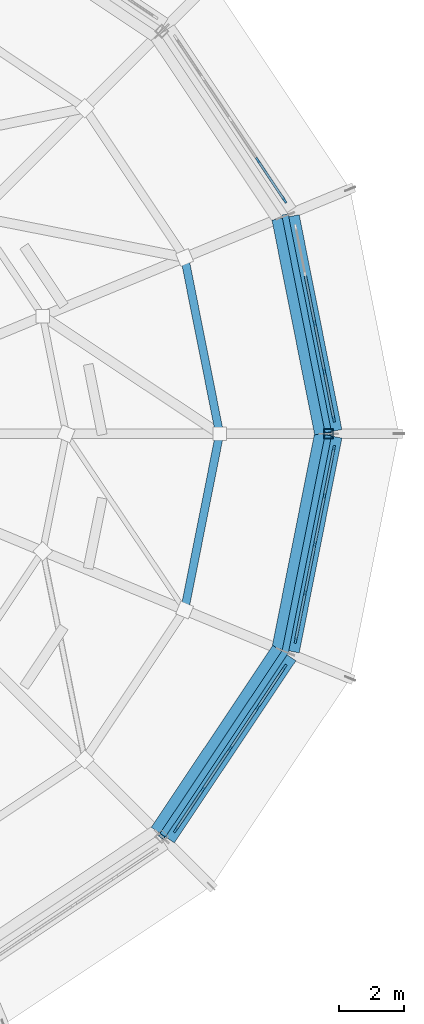
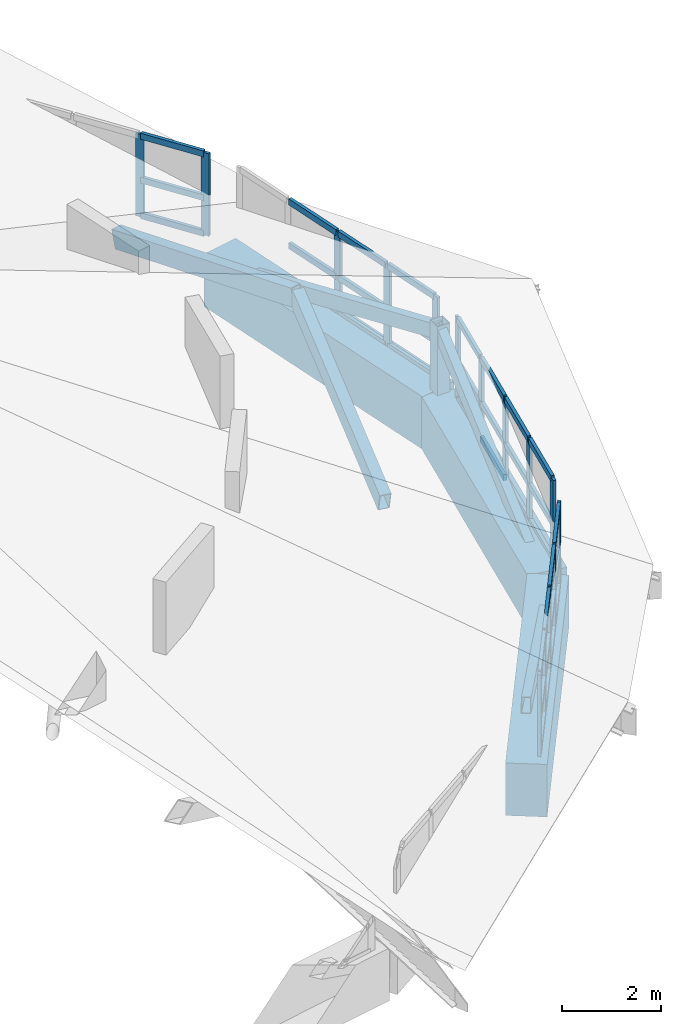
# One storey, part 6 of 18: 57 members, 3 beams, 4 elements without a shape of their own.
"""IFC4 building model written with IfcOpenShell, lengths in metres."""

from ifc_helpers import new_model, si_unit, direction, frame, origin, origin_2d, place, context, subcontext, project, spatial, rectangle, hollow_rectangle, extrude, material, material_profile, profile_set, type_object, element, aggregate, save


model = new_model("IFC4")

# Units and contexts
model_context = context("Model", 3, precision=1e-05, world=origin(), true_north=direction((0.0, 1.0)))
body_context = subcontext(model_context, "Body", "Model", "MODEL_VIEW")
ifc_project = project(units=[si_unit("LENGTHUNIT", "METRE"), si_unit("AREAUNIT", "SQUARE_METRE"), si_unit("VOLUMEUNIT", "CUBIC_METRE"), si_unit("PLANEANGLEUNIT", "RADIAN"), si_unit("MASSUNIT", "GRAM", prefix="KILO")], contexts=[model_context])

# Site, building, storey
site_placement = place(None, origin())
site = spatial("IfcSite", under=ifc_project, at=site_placement, CompositionType="ELEMENT")
building_placement = place(site_placement, origin())
building = spatial("IfcBuilding", under=site, at=building_placement, Name="Soyqirgoq Riverine Aquarium", CompositionType="ELEMENT")
storey_placement = place(building_placement, frame((0.0, 0.0, 29.39990234375)))
storey = spatial("IfcBuildingStorey", under=building, at=storey_placement, Name="RF", CompositionType="ELEMENT", Elevation=29.39990234375)

# Curtain wall, members
ifc_material_1 = material(Name="Anodised aluminium acoustic solar-control clerestory glazing", Category="aluminium")
curtain_wall_type = type_object("IfcCurtainWallType", Name="CW_Clerestory_Ring", PredefinedType="NOTDEFINED", material=ifc_material_1)
curtain_wall_1_placement = place(storey_placement, origin())
curtain_wall_1 = element("IfcCurtainWall", 1, at=curtain_wall_1_placement, inside=storey, type_object=curtain_wall_type, Name="V1 RF Curtain Wall 007", PredefinedType="NOTDEFINED")
ifc_material_2 = material(Name="Anodised aluminium 6063-T6", Category="aluminium")
ifc_material_profile_1 = material_profile(ifc_material_2, rectangle(XDim=0.06494140625, YDim=0.179931640625, at=origin_2d()), Name="ALU-M 65x180")
ifc_profile_set_1 = profile_set([ifc_material_profile_1], Name="Anodised aluminium 6063-T6")
member_type_1 = type_object("IfcMemberType", Name="CWMullion_65x180", PredefinedType="MULLION", material=ifc_profile_set_1)
member_1_placement = place(storey_placement, frame((73.61181640625, 57.44384765625, -0.02001953125), z_axis=(0.0, 0.0, 1.0), x_axis=(-0.980784299821, -0.19509525167, 0.0)))
member_1 = element("IfcMember", 2, at=member_1_placement, type_object=member_type_1, Name="CW-02 mullion 1", PredefinedType="MULLION", context=body_context, shape_type="SweptSolid", body=[
    extrude(rectangle(XDim=0.06494140625, YDim=0.179931640625, at=origin_2d()), origin(), (0.0, 0.0, 1.0), 2.0400390625),
])
member_2_placement = place(storey_placement, frame((73.322265625, 58.8994140625, -0.02001953125), z_axis=(0.0, 0.0, 1.0), x_axis=(-0.980784299821, -0.19509525167, 0.0)))
member_2 = element("IfcMember", 3, at=member_2_placement, type_object=member_type_1, Name="CW-02 mullion 2", PredefinedType="MULLION", context=body_context, shape_type="SweptSolid", body=[
    extrude(rectangle(XDim=0.06494140625, YDim=0.179931640625, at=origin_2d()), origin(), (0.0, 0.0, 1.0), 2.0400390625),
])
member_3_placement = place(storey_placement, frame((73.0263671875, 60.38671875, -0.02001953125), z_axis=(0.0, 0.0, 1.0), x_axis=(-0.980784299821, -0.19509525167, 0.0)))
member_3 = element("IfcMember", 4, at=member_3_placement, type_object=member_type_1, Name="CW-02 mullion 3", PredefinedType="MULLION", context=body_context, shape_type="SweptSolid", body=[
    extrude(rectangle(XDim=0.06494140625, YDim=0.179931640625, at=origin_2d()), origin(), (0.0, 0.0, 1.0), 2.0400390625),
])

curtain_wall_2_placement = place(storey_placement, origin())
curtain_wall_2 = element("IfcCurtainWall", 5, at=curtain_wall_2_placement, inside=storey, type_object=curtain_wall_type, Name="V1 RF Curtain Wall 009", PredefinedType="NOTDEFINED")
member_4_placement = place(storey_placement, frame((72.101318359375, 64.149658203125, -0.02001953125), z_axis=(0.0, 0.0, 1.0), x_axis=(-0.831463994905, -0.555578639957, 0.0)))
member_4 = element("IfcMember", 6, at=member_4_placement, type_object=member_type_1, Name="CW-02 mullion 1", PredefinedType="MULLION", context=body_context, shape_type="SweptSolid", body=[
    extrude(rectangle(XDim=0.06494140625, YDim=0.179931640625, at=origin_2d()), origin(), (0.0, 0.0, 1.0), 2.0400390625),
])
member_5_placement = place(storey_placement, frame((71.27685546875, 65.3837890625, -0.02001953125), z_axis=(0.0, 0.0, 1.0), x_axis=(-0.831463994905, -0.555578639957, 0.0)))
member_5 = element("IfcMember", 7, at=member_5_placement, type_object=member_type_1, Name="CW-02 mullion 2", PredefinedType="MULLION", context=body_context, shape_type="SweptSolid", body=[
    extrude(rectangle(XDim=0.06494140625, YDim=0.179931640625, at=origin_2d()), origin(), (0.0, 0.0, 1.0), 2.0400390625),
])

curtain_wall_3_placement = place(storey_placement, origin())
curtain_wall_3 = element("IfcCurtainWall", 8, at=curtain_wall_3_placement, inside=storey, type_object=curtain_wall_type, Name="V1 RF Curtain Wall 071", PredefinedType="NOTDEFINED")
member_6_placement = place(storey_placement, frame((68.76708984375, 44.8603515625, -0.02001953125), z_axis=(0.0, 0.0, 1.0), x_axis=(-0.831463994905, 0.555578639957, 0.0)))
member_6 = element("IfcMember", 9, at=member_6_placement, type_object=member_type_1, Name="CW-02 mullion 1", PredefinedType="MULLION", context=body_context, shape_type="SweptSolid", body=[
    extrude(rectangle(XDim=0.06494140625, YDim=0.179931640625, at=origin_2d()), origin(), (0.0, 0.0, 1.0), 2.0400390625),
])
member_7_placement = place(storey_placement, frame((69.591796875, 46.094482421875, -0.02001953125), z_axis=(0.0, 0.0, 1.0), x_axis=(-0.831463994905, 0.555578639957, 0.0)))
member_7 = element("IfcMember", 10, at=member_7_placement, type_object=member_type_1, Name="CW-02 mullion 2", PredefinedType="MULLION", context=body_context, shape_type="SweptSolid", body=[
    extrude(rectangle(XDim=0.06494140625, YDim=0.179931640625, at=origin_2d()), origin(), (0.0, 0.0, 1.0), 2.0400390625),
])
member_8_placement = place(storey_placement, frame((70.434326171875, 47.35546875, -0.02001953125), z_axis=(0.0, 0.0, 1.0), x_axis=(-0.831463994905, 0.555578639957, 0.0)))
member_8 = element("IfcMember", 11, at=member_8_placement, type_object=member_type_1, Name="CW-02 mullion 3", PredefinedType="MULLION", context=body_context, shape_type="SweptSolid", body=[
    extrude(rectangle(XDim=0.06494140625, YDim=0.179931640625, at=origin_2d()), origin(), (0.0, 0.0, 1.0), 2.0400390625),
])
member_9_placement = place(storey_placement, frame((71.27685546875, 48.6162109375, -0.02001953125), z_axis=(0.0, 0.0, 1.0), x_axis=(-0.831463994905, 0.555578639957, 0.0)))
member_9 = element("IfcMember", 12, at=member_9_placement, type_object=member_type_1, Name="CW-02 mullion 4", PredefinedType="MULLION", context=body_context, shape_type="SweptSolid", body=[
    extrude(rectangle(XDim=0.06494140625, YDim=0.179931640625, at=origin_2d()), origin(), (0.0, 0.0, 1.0), 2.0400390625),
])
member_10_placement = place(storey_placement, frame((72.101318359375, 49.850341796875, -0.02001953125), z_axis=(0.0, 0.0, 1.0), x_axis=(-0.831463994905, 0.555578639957, 0.0)))
member_10 = element("IfcMember", 13, at=member_10_placement, type_object=member_type_1, Name="CW-02 mullion 5", PredefinedType="MULLION", context=body_context, shape_type="SweptSolid", body=[
    extrude(rectangle(XDim=0.06494140625, YDim=0.179931640625, at=origin_2d()), origin(), (0.0, 0.0, 1.0), 2.0400390625),
])

curtain_wall_4_placement = place(storey_placement, origin())
curtain_wall_4 = element("IfcCurtainWall", 14, at=curtain_wall_4_placement, inside=storey, type_object=curtain_wall_type, Name="V1 RF Curtain Wall 078", PredefinedType="NOTDEFINED")
member_11_placement = place(storey_placement, frame((72.44091796875, 50.670166015625, -0.02001953125), z_axis=(0.0, 0.0, 1.0), x_axis=(-0.980784299821, 0.19509525167, 0.0)))
member_11 = element("IfcMember", 15, at=member_11_placement, type_object=member_type_1, Name="CW-02 mullion 1", PredefinedType="MULLION", context=body_context, shape_type="SweptSolid", body=[
    extrude(rectangle(XDim=0.06494140625, YDim=0.179931640625, at=origin_2d()), origin(), (0.0, 0.0, 1.0), 2.0400390625),
])
member_12_placement = place(storey_placement, frame((72.73046875, 52.125732421875, -0.02001953125), z_axis=(0.0, 0.0, 1.0), x_axis=(-0.980784299821, 0.19509525167, 0.0)))
member_12 = element("IfcMember", 16, at=member_12_placement, type_object=member_type_1, Name="CW-02 mullion 2", PredefinedType="MULLION", context=body_context, shape_type="SweptSolid", body=[
    extrude(rectangle(XDim=0.06494140625, YDim=0.179931640625, at=origin_2d()), origin(), (0.0, 0.0, 1.0), 2.0400390625),
])
member_13_placement = place(storey_placement, frame((73.0263671875, 53.61328125, -0.02001953125), z_axis=(0.0, 0.0, 1.0), x_axis=(-0.980784299821, 0.19509525167, 0.0)))
member_13 = element("IfcMember", 17, at=member_13_placement, type_object=member_type_1, Name="CW-02 mullion 3", PredefinedType="MULLION", context=body_context, shape_type="SweptSolid", body=[
    extrude(rectangle(XDim=0.06494140625, YDim=0.179931640625, at=origin_2d()), origin(), (0.0, 0.0, 1.0), 2.0400390625),
])
member_14_placement = place(storey_placement, frame((73.322265625, 55.1005859375, -0.02001953125), z_axis=(0.0, 0.0, 1.0), x_axis=(-0.980784299821, 0.19509525167, 0.0)))
member_14 = element("IfcMember", 18, at=member_14_placement, type_object=member_type_1, Name="CW-02 mullion 4", PredefinedType="MULLION", context=body_context, shape_type="SweptSolid", body=[
    extrude(rectangle(XDim=0.06494140625, YDim=0.179931640625, at=origin_2d()), origin(), (0.0, 0.0, 1.0), 2.0400390625),
])
member_15_placement = place(storey_placement, frame((73.61181640625, 56.55615234375, -0.02001953125), z_axis=(0.0, 0.0, 1.0), x_axis=(-0.980784299821, 0.19509525167, 0.0)))
member_15 = element("IfcMember", 19, at=member_15_placement, type_object=member_type_1, Name="CW-02 mullion 5", PredefinedType="MULLION", context=body_context, shape_type="SweptSolid", body=[
    extrude(rectangle(XDim=0.06494140625, YDim=0.179931640625, at=origin_2d()), origin(), (0.0, 0.0, 1.0), 2.0400390625),
])

# Member
ifc_material_3 = material(Name="Anodised aluminium 6063-T6", Category="aluminium")
ifc_material_profile_2 = material_profile(ifc_material_3, rectangle(XDim=0.074951171875, YDim=0.14990234375, at=origin_2d()), Name="ALU-T 75x150")
ifc_profile_set_2 = profile_set([ifc_material_profile_2], Name="Anodised aluminium 6063-T6")
member_type_2 = type_object("IfcMemberType", Name="CWTransom_75x150", PredefinedType="USERDEFINED", material=ifc_profile_set_2)
member_16_placement = place(storey_placement, frame((73.60546875, 57.4755859375, 0.017578125), z_axis=(-0.195090420246, 0.980785260864, 0.0), x_axis=(-0.980785260864, -0.195090420246, 0.0)))
member_16 = element("IfcMember", 20, at=member_16_placement, type_object=member_type_2, Name="CW-02 transom 1.1", ObjectType="TRANSOM", PredefinedType="USERDEFINED", context=body_context, shape_type="SweptSolid", body=[
    extrude(rectangle(XDim=0.074951171875, YDim=0.14990234375, at=origin_2d()), origin(), (0.0, 0.0, 1.0), 1.419189453125),
])

member_17_placement = place(storey_placement, frame((73.60546875, 57.4755859375, 0.898193359375), z_axis=(-0.195090420246, 0.980785260864, 0.0), x_axis=(-0.980785260864, -0.195090420246, 0.0)))
member_17 = element("IfcMember", 21, at=member_17_placement, type_object=member_type_2, Name="CW-02 transom 1.2", ObjectType="TRANSOM", PredefinedType="USERDEFINED", context=body_context, shape_type="SweptSolid", body=[
    extrude(rectangle(XDim=0.074951171875, YDim=0.14990234375, at=origin_2d()), origin(), (0.0, 0.0, 1.0), 1.419189453125),
])

member_18_placement = place(storey_placement, frame((73.60546875, 57.4755859375, 1.982666015625), z_axis=(-0.195090420246, 0.980785260864, 0.0), x_axis=(-0.980785260864, -0.195090420246, 0.0)))
member_18 = element("IfcMember", 22, at=member_18_placement, type_object=member_type_2, Name="CW-02 transom 1.3", ObjectType="TRANSOM", PredefinedType="USERDEFINED", context=body_context, shape_type="SweptSolid", body=[
    extrude(rectangle(XDim=0.074951171875, YDim=0.14990234375, at=origin_2d()), origin(), (0.0, 0.0, 1.0), 1.419189453125),
])

member_19_placement = place(storey_placement, frame((73.31591796875, 58.93115234375, 0.017578125), z_axis=(-0.195081112847, 0.980787112176, 0.0), x_axis=(-0.980787112176, -0.195081112847, 0.0)))
member_19 = element("IfcMember", 23, at=member_19_placement, type_object=member_type_2, Name="CW-02 transom 2.1", ObjectType="TRANSOM", PredefinedType="USERDEFINED", context=body_context, shape_type="SweptSolid", body=[
    extrude(rectangle(XDim=0.074951171875, YDim=0.14990234375, at=origin_2d()), origin(), (0.0, 0.0, 1.0), 1.45166015625),
])

member_20_placement = place(storey_placement, frame((73.31591796875, 58.93115234375, 0.898193359375), z_axis=(-0.195081112847, 0.980787112176, 0.0), x_axis=(-0.980787112176, -0.195081112847, 0.0)))
member_20 = element("IfcMember", 24, at=member_20_placement, type_object=member_type_2, Name="CW-02 transom 2.2", ObjectType="TRANSOM", PredefinedType="USERDEFINED", context=body_context, shape_type="SweptSolid", body=[
    extrude(rectangle(XDim=0.074951171875, YDim=0.14990234375, at=origin_2d()), origin(), (0.0, 0.0, 1.0), 1.45166015625),
])

member_21_placement = place(storey_placement, frame((73.31591796875, 58.93115234375, 1.982666015625), z_axis=(-0.195081112847, 0.980787112176, 0.0), x_axis=(-0.980787112176, -0.195081112847, 0.0)))
member_21 = element("IfcMember", 25, at=member_21_placement, type_object=member_type_2, Name="CW-02 transom 2.3", ObjectType="TRANSOM", PredefinedType="USERDEFINED", context=body_context, shape_type="SweptSolid", body=[
    extrude(rectangle(XDim=0.074951171875, YDim=0.14990234375, at=origin_2d()), origin(), (0.0, 0.0, 1.0), 1.45166015625),
])

member_22_placement = place(storey_placement, frame((73.02001953125, 60.418701171875, 0.017578125), z_axis=(-0.195113295173, 0.980780710478, 0.0), x_axis=(-0.980780710478, -0.195113295173, 0.0)))
member_22 = element("IfcMember", 26, at=member_22_placement, type_object=member_type_2, Name="CW-02 transom 3.1", ObjectType="TRANSOM", PredefinedType="USERDEFINED", context=body_context, shape_type="SweptSolid", body=[
    extrude(rectangle(XDim=0.074951171875, YDim=0.14990234375, at=origin_2d()), origin(), (0.0, 0.0, 1.0), 1.451416015625),
])

member_23_placement = place(storey_placement, frame((73.02001953125, 60.418701171875, 0.898193359375), z_axis=(-0.195113295173, 0.980780710478, 0.0), x_axis=(-0.980780710478, -0.195113295173, 0.0)))
member_23 = element("IfcMember", 27, at=member_23_placement, type_object=member_type_2, Name="CW-02 transom 3.2", ObjectType="TRANSOM", PredefinedType="USERDEFINED", context=body_context, shape_type="SweptSolid", body=[
    extrude(rectangle(XDim=0.074951171875, YDim=0.14990234375, at=origin_2d()), origin(), (0.0, 0.0, 1.0), 1.451416015625),
])

member_24_placement = place(storey_placement, frame((73.02001953125, 60.418701171875, 1.982666015625), z_axis=(-0.195113295173, 0.980780710478, 0.0), x_axis=(-0.980780710478, -0.195113295173, 0.0)))
member_24 = element("IfcMember", 28, at=member_24_placement, type_object=member_type_2, Name="CW-02 transom 3.3", ObjectType="TRANSOM", PredefinedType="USERDEFINED", context=body_context, shape_type="SweptSolid", body=[
    extrude(rectangle(XDim=0.074951171875, YDim=0.14990234375, at=origin_2d()), origin(), (0.0, 0.0, 1.0), 1.451416015625),
])

aggregate(curtain_wall_1, [member_1, member_2, member_3, member_16, member_17, member_18, member_19, member_20, member_21, member_22, member_23, member_24])

member_25_placement = place(storey_placement, frame((72.083251953125, 64.1767578125, 0.017578125), z_axis=(-0.55553367483, 0.831494038542, 0.0), x_axis=(-0.831494038542, -0.55553367483, 0.0)))
member_25 = element("IfcMember", 29, at=member_25_placement, type_object=member_type_2, Name="CW-02 transom 1.1", ObjectType="TRANSOM", PredefinedType="USERDEFINED", context=body_context, shape_type="SweptSolid", body=[
    extrude(rectangle(XDim=0.074951171875, YDim=0.14990234375, at=origin_2d()), origin(), (0.0, 0.0, 1.0), 1.4189453125),
])

member_26_placement = place(storey_placement, frame((72.083251953125, 64.1767578125, 0.898193359375), z_axis=(-0.55553367483, 0.831494038542, 0.0), x_axis=(-0.831494038542, -0.55553367483, 0.0)))
member_26 = element("IfcMember", 30, at=member_26_placement, type_object=member_type_2, Name="CW-02 transom 1.2", ObjectType="TRANSOM", PredefinedType="USERDEFINED", context=body_context, shape_type="SweptSolid", body=[
    extrude(rectangle(XDim=0.074951171875, YDim=0.14990234375, at=origin_2d()), origin(), (0.0, 0.0, 1.0), 1.4189453125),
])

member_27_placement = place(storey_placement, frame((72.083251953125, 64.1767578125, 1.982666015625), z_axis=(-0.55553367483, 0.831494038542, 0.0), x_axis=(-0.831494038542, -0.55553367483, 0.0)))
member_27 = element("IfcMember", 31, at=member_27_placement, type_object=member_type_2, Name="CW-02 transom 1.3", ObjectType="TRANSOM", PredefinedType="USERDEFINED", context=body_context, shape_type="SweptSolid", body=[
    extrude(rectangle(XDim=0.074951171875, YDim=0.14990234375, at=origin_2d()), origin(), (0.0, 0.0, 1.0), 1.4189453125),
])

aggregate(curtain_wall_2, [member_4, member_5, member_25, member_26, member_27])

member_28_placement = place(storey_placement, frame((68.78515625, 44.887451171875, 0.017578125), z_axis=(0.555652606731, 0.831414566046, 0.0), x_axis=(-0.831414566046, 0.555652606731, 0.0)))
member_28 = element("IfcMember", 32, at=member_28_placement, type_object=member_type_2, Name="CW-02 transom 1.1", ObjectType="TRANSOM", PredefinedType="USERDEFINED", context=body_context, shape_type="SweptSolid", body=[
    extrude(rectangle(XDim=0.074951171875, YDim=0.14990234375, at=origin_2d()), origin(), (0.0, 0.0, 1.0), 1.419189453125),
])

member_29_placement = place(storey_placement, frame((68.78515625, 44.887451171875, 0.898193359375), z_axis=(0.555652606731, 0.831414566046, 0.0), x_axis=(-0.831414566046, 0.555652606731, 0.0)))
member_29 = element("IfcMember", 33, at=member_29_placement, type_object=member_type_2, Name="CW-02 transom 1.2", ObjectType="TRANSOM", PredefinedType="USERDEFINED", context=body_context, shape_type="SweptSolid", body=[
    extrude(rectangle(XDim=0.074951171875, YDim=0.14990234375, at=origin_2d()), origin(), (0.0, 0.0, 1.0), 1.419189453125),
])

member_30_placement = place(storey_placement, frame((68.78515625, 44.887451171875, 1.982666015625), z_axis=(0.555652606731, 0.831414566046, 0.0), x_axis=(-0.831414566046, 0.555652606731, 0.0)))
member_30 = element("IfcMember", 34, at=member_30_placement, type_object=member_type_2, Name="CW-02 transom 1.3", ObjectType="TRANSOM", PredefinedType="USERDEFINED", context=body_context, shape_type="SweptSolid", body=[
    extrude(rectangle(XDim=0.074951171875, YDim=0.14990234375, at=origin_2d()), origin(), (0.0, 0.0, 1.0), 1.419189453125),
])

member_31_placement = place(storey_placement, frame((69.609619140625, 46.121337890625, 0.017578125), z_axis=(0.555631247688, 0.831428840366, 0.0), x_axis=(-0.831428840366, 0.555631247688, 0.0)))
member_31 = element("IfcMember", 35, at=member_31_placement, type_object=member_type_2, Name="CW-02 transom 2.1", ObjectType="TRANSOM", PredefinedType="USERDEFINED", context=body_context, shape_type="SweptSolid", body=[
    extrude(rectangle(XDim=0.074951171875, YDim=0.14990234375, at=origin_2d()), origin(), (0.0, 0.0, 1.0), 1.45166015625),
])

member_32_placement = place(storey_placement, frame((69.609619140625, 46.121337890625, 0.898193359375), z_axis=(0.555631247688, 0.831428840366, 0.0), x_axis=(-0.831428840366, 0.555631247688, 0.0)))
member_32 = element("IfcMember", 36, at=member_32_placement, type_object=member_type_2, Name="CW-02 transom 2.2", ObjectType="TRANSOM", PredefinedType="USERDEFINED", context=body_context, shape_type="SweptSolid", body=[
    extrude(rectangle(XDim=0.074951171875, YDim=0.14990234375, at=origin_2d()), origin(), (0.0, 0.0, 1.0), 1.45166015625),
])

member_33_placement = place(storey_placement, frame((69.609619140625, 46.121337890625, 1.982666015625), z_axis=(0.555631247688, 0.831428840366, 0.0), x_axis=(-0.831428840366, 0.555631247688, 0.0)))
member_33 = element("IfcMember", 37, at=member_33_placement, type_object=member_type_2, Name="CW-02 transom 2.3", ObjectType="TRANSOM", PredefinedType="USERDEFINED", context=body_context, shape_type="SweptSolid", body=[
    extrude(rectangle(XDim=0.074951171875, YDim=0.14990234375, at=origin_2d()), origin(), (0.0, 0.0, 1.0), 1.45166015625),
])

member_34_placement = place(storey_placement, frame((70.452392578125, 47.38232421875, 0.017578125), z_axis=(0.555514980368, 0.831506528289, 0.0), x_axis=(-0.831506528289, 0.555514980368, 0.0)))
member_34 = element("IfcMember", 38, at=member_34_placement, type_object=member_type_2, Name="CW-02 transom 3.1", ObjectType="TRANSOM", PredefinedType="USERDEFINED", context=body_context, shape_type="SweptSolid", body=[
    extrude(rectangle(XDim=0.074951171875, YDim=0.14990234375, at=origin_2d()), origin(), (0.0, 0.0, 1.0), 1.45166015625),
])

member_35_placement = place(storey_placement, frame((70.452392578125, 47.38232421875, 0.898193359375), z_axis=(0.555514980368, 0.831506528289, 0.0), x_axis=(-0.831506528289, 0.555514980368, 0.0)))
member_35 = element("IfcMember", 39, at=member_35_placement, type_object=member_type_2, Name="CW-02 transom 3.2", ObjectType="TRANSOM", PredefinedType="USERDEFINED", context=body_context, shape_type="SweptSolid", body=[
    extrude(rectangle(XDim=0.074951171875, YDim=0.14990234375, at=origin_2d()), origin(), (0.0, 0.0, 1.0), 1.45166015625),
])

member_36_placement = place(storey_placement, frame((70.452392578125, 47.38232421875, 1.982666015625), z_axis=(0.555514980368, 0.831506528289, 0.0), x_axis=(-0.831506528289, 0.555514980368, 0.0)))
member_36 = element("IfcMember", 40, at=member_36_placement, type_object=member_type_2, Name="CW-02 transom 3.3", ObjectType="TRANSOM", PredefinedType="USERDEFINED", context=body_context, shape_type="SweptSolid", body=[
    extrude(rectangle(XDim=0.074951171875, YDim=0.14990234375, at=origin_2d()), origin(), (0.0, 0.0, 1.0), 1.45166015625),
])

member_37_placement = place(storey_placement, frame((71.294921875, 48.643310546875, 0.017578125), z_axis=(0.55553367483, 0.831494038542, 0.0), x_axis=(-0.831494038542, 0.55553367483, 0.0)))
member_37 = element("IfcMember", 41, at=member_37_placement, type_object=member_type_2, Name="CW-02 transom 4.1", ObjectType="TRANSOM", PredefinedType="USERDEFINED", context=body_context, shape_type="SweptSolid", body=[
    extrude(rectangle(XDim=0.074951171875, YDim=0.14990234375, at=origin_2d()), origin(), (0.0, 0.0, 1.0), 1.4189453125),
])

member_38_placement = place(storey_placement, frame((71.294921875, 48.643310546875, 0.898193359375), z_axis=(0.55553367483, 0.831494038542, 0.0), x_axis=(-0.831494038542, 0.55553367483, 0.0)))
member_38 = element("IfcMember", 42, at=member_38_placement, type_object=member_type_2, Name="CW-02 transom 4.2", ObjectType="TRANSOM", PredefinedType="USERDEFINED", context=body_context, shape_type="SweptSolid", body=[
    extrude(rectangle(XDim=0.074951171875, YDim=0.14990234375, at=origin_2d()), origin(), (0.0, 0.0, 1.0), 1.4189453125),
])

member_39_placement = place(storey_placement, frame((71.294921875, 48.643310546875, 1.982666015625), z_axis=(0.55553367483, 0.831494038542, 0.0), x_axis=(-0.831494038542, 0.55553367483, 0.0)))
member_39 = element("IfcMember", 43, at=member_39_placement, type_object=member_type_2, Name="CW-02 transom 4.3", ObjectType="TRANSOM", PredefinedType="USERDEFINED", context=body_context, shape_type="SweptSolid", body=[
    extrude(rectangle(XDim=0.074951171875, YDim=0.14990234375, at=origin_2d()), origin(), (0.0, 0.0, 1.0), 1.4189453125),
])

aggregate(curtain_wall_3, [member_6, member_7, member_8, member_9, member_10, member_28, member_29, member_30, member_31, member_32, member_33, member_34, member_35, member_36, member_37, member_38, member_39])

member_40_placement = place(storey_placement, frame((72.447265625, 50.7021484375, 0.017578125), z_axis=(0.195090420246, 0.980785260864, 0.0), x_axis=(-0.980785260864, 0.195090420246, 0.0)))
member_40 = element("IfcMember", 44, at=member_40_placement, type_object=member_type_2, Name="CW-02 transom 1.1", ObjectType="TRANSOM", PredefinedType="USERDEFINED", context=body_context, shape_type="SweptSolid", body=[
    extrude(rectangle(XDim=0.074951171875, YDim=0.14990234375, at=origin_2d()), origin(), (0.0, 0.0, 1.0), 1.419189453125),
])

member_41_placement = place(storey_placement, frame((72.447265625, 50.7021484375, 0.898193359375), z_axis=(0.195090420246, 0.980785260864, 0.0), x_axis=(-0.980785260864, 0.195090420246, 0.0)))
member_41 = element("IfcMember", 45, at=member_41_placement, type_object=member_type_2, Name="CW-02 transom 1.2", ObjectType="TRANSOM", PredefinedType="USERDEFINED", context=body_context, shape_type="SweptSolid", body=[
    extrude(rectangle(XDim=0.074951171875, YDim=0.14990234375, at=origin_2d()), origin(), (0.0, 0.0, 1.0), 1.419189453125),
])

member_42_placement = place(storey_placement, frame((72.447265625, 50.7021484375, 1.982666015625), z_axis=(0.195090420246, 0.980785260864, 0.0), x_axis=(-0.980785260864, 0.195090420246, 0.0)))
member_42 = element("IfcMember", 46, at=member_42_placement, type_object=member_type_2, Name="CW-02 transom 1.3", ObjectType="TRANSOM", PredefinedType="USERDEFINED", context=body_context, shape_type="SweptSolid", body=[
    extrude(rectangle(XDim=0.074951171875, YDim=0.14990234375, at=origin_2d()), origin(), (0.0, 0.0, 1.0), 1.419189453125),
])

member_43_placement = place(storey_placement, frame((72.73681640625, 52.15771484375, 0.017578125), z_axis=(0.195113295173, 0.980780710478, 0.0), x_axis=(-0.980780710478, 0.195113295173, 0.0)))
member_43 = element("IfcMember", 47, at=member_43_placement, type_object=member_type_2, Name="CW-02 transom 2.1", ObjectType="TRANSOM", PredefinedType="USERDEFINED", context=body_context, shape_type="SweptSolid", body=[
    extrude(rectangle(XDim=0.074951171875, YDim=0.14990234375, at=origin_2d()), origin(), (0.0, 0.0, 1.0), 1.451416015625),
])

member_44_placement = place(storey_placement, frame((72.73681640625, 52.15771484375, 0.898193359375), z_axis=(0.195113295173, 0.980780710478, 0.0), x_axis=(-0.980780710478, 0.195113295173, 0.0)))
member_44 = element("IfcMember", 48, at=member_44_placement, type_object=member_type_2, Name="CW-02 transom 2.2", ObjectType="TRANSOM", PredefinedType="USERDEFINED", context=body_context, shape_type="SweptSolid", body=[
    extrude(rectangle(XDim=0.074951171875, YDim=0.14990234375, at=origin_2d()), origin(), (0.0, 0.0, 1.0), 1.451416015625),
])

member_45_placement = place(storey_placement, frame((72.73681640625, 52.15771484375, 1.982666015625), z_axis=(0.195113295173, 0.980780710478, 0.0), x_axis=(-0.980780710478, 0.195113295173, 0.0)))
member_45 = element("IfcMember", 49, at=member_45_placement, type_object=member_type_2, Name="CW-02 transom 2.3", ObjectType="TRANSOM", PredefinedType="USERDEFINED", context=body_context, shape_type="SweptSolid", body=[
    extrude(rectangle(XDim=0.074951171875, YDim=0.14990234375, at=origin_2d()), origin(), (0.0, 0.0, 1.0), 1.451416015625),
])

member_46_placement = place(storey_placement, frame((73.03271484375, 53.64501953125, 0.017578125), z_axis=(0.195081112847, 0.980787112176, 0.0), x_axis=(-0.980787112176, 0.195081112847, 0.0)))
member_46 = element("IfcMember", 50, at=member_46_placement, type_object=member_type_2, Name="CW-02 transom 3.1", ObjectType="TRANSOM", PredefinedType="USERDEFINED", context=body_context, shape_type="SweptSolid", body=[
    extrude(rectangle(XDim=0.074951171875, YDim=0.14990234375, at=origin_2d()), origin(), (0.0, 0.0, 1.0), 1.45166015625),
])

member_47_placement = place(storey_placement, frame((73.03271484375, 53.64501953125, 0.898193359375), z_axis=(0.195081112847, 0.980787112176, 0.0), x_axis=(-0.980787112176, 0.195081112847, 0.0)))
member_47 = element("IfcMember", 51, at=member_47_placement, type_object=member_type_2, Name="CW-02 transom 3.2", ObjectType="TRANSOM", PredefinedType="USERDEFINED", context=body_context, shape_type="SweptSolid", body=[
    extrude(rectangle(XDim=0.074951171875, YDim=0.14990234375, at=origin_2d()), origin(), (0.0, 0.0, 1.0), 1.45166015625),
])

member_48_placement = place(storey_placement, frame((73.03271484375, 53.64501953125, 1.982666015625), z_axis=(0.195081112847, 0.980787112176, 0.0), x_axis=(-0.980787112176, 0.195081112847, 0.0)))
member_48 = element("IfcMember", 52, at=member_48_placement, type_object=member_type_2, Name="CW-02 transom 3.3", ObjectType="TRANSOM", PredefinedType="USERDEFINED", context=body_context, shape_type="SweptSolid", body=[
    extrude(rectangle(XDim=0.074951171875, YDim=0.14990234375, at=origin_2d()), origin(), (0.0, 0.0, 1.0), 1.45166015625),
])

member_49_placement = place(storey_placement, frame((73.32861328125, 55.132568359375, 0.017578125), z_axis=(0.195090420246, 0.980785260864, 0.0), x_axis=(-0.980785260864, 0.195090420246, 0.0)))
member_49 = element("IfcMember", 53, at=member_49_placement, type_object=member_type_2, Name="CW-02 transom 4.1", ObjectType="TRANSOM", PredefinedType="USERDEFINED", context=body_context, shape_type="SweptSolid", body=[
    extrude(rectangle(XDim=0.074951171875, YDim=0.14990234375, at=origin_2d()), origin(), (0.0, 0.0, 1.0), 1.419189453125),
])

member_50_placement = place(storey_placement, frame((73.32861328125, 55.132568359375, 0.898193359375), z_axis=(0.195090420246, 0.980785260864, 0.0), x_axis=(-0.980785260864, 0.195090420246, 0.0)))
member_50 = element("IfcMember", 54, at=member_50_placement, type_object=member_type_2, Name="CW-02 transom 4.2", ObjectType="TRANSOM", PredefinedType="USERDEFINED", context=body_context, shape_type="SweptSolid", body=[
    extrude(rectangle(XDim=0.074951171875, YDim=0.14990234375, at=origin_2d()), origin(), (0.0, 0.0, 1.0), 1.419189453125),
])

member_51_placement = place(storey_placement, frame((73.32861328125, 55.132568359375, 1.982666015625), z_axis=(0.195090420246, 0.980785260864, 0.0), x_axis=(-0.980785260864, 0.195090420246, 0.0)))
member_51 = element("IfcMember", 55, at=member_51_placement, type_object=member_type_2, Name="CW-02 transom 4.3", ObjectType="TRANSOM", PredefinedType="USERDEFINED", context=body_context, shape_type="SweptSolid", body=[
    extrude(rectangle(XDim=0.074951171875, YDim=0.14990234375, at=origin_2d()), origin(), (0.0, 0.0, 1.0), 1.419189453125),
])

aggregate(curtain_wall_4, [member_11, member_12, member_13, member_14, member_15, member_40, member_41, member_42, member_43, member_44, member_45, member_46, member_47, member_48, member_49, member_50, member_51])

# Members
ifc_material_4 = material(Name="Structural steel S355", Category="steel")
ifc_material_profile_3 = material_profile(ifc_material_4, hollow_rectangle(XDim=0.199951171875, YDim=0.35009765625, WallThickness=0.012451171875, at=origin_2d()), Name="RHS 350x200x12.5")
ifc_profile_set_3 = profile_set([ifc_material_profile_3], Name="Structural steel S355")
member_type_3 = type_object("IfcMemberType", Name="GableChord_RHS350x200", PredefinedType="CHORD", material=ifc_profile_set_3)
member_52_placement = place(storey_placement, frame((73.449951171875, 57.0, 1.47998046875), z_axis=(-0.187193232054, 0.941023577126, -0.281839176068), x_axis=(-0.980782886305, -0.195102357575, 0.0)))
element("IfcMember", 56, at=member_52_placement, inside=storey, type_object=member_type_3, Name="V1 Folded-Plate Gable Edge Chord 01", PredefinedType="CHORD", context=body_context, shape_type="SweptSolid", body=[
    extrude(hollow_rectangle(XDim=0.199951171875, YDim=0.35009765625, WallThickness=0.012451171875, at=origin_2d()), origin(), (0.0, 0.0, 1.0), 7.09619140625),
])
member_53_placement = place(storey_placement, frame((68.339111328125, 44.660888671875, 1.47998046875), z_axis=(0.533015890105, 0.797786450374, -0.281834775172), x_axis=(-0.831492708817, 0.555535665087, 0.0)))
element("IfcMember", 57, at=member_53_placement, inside=storey, type_object=member_type_3, Name="V1 Folded-Plate Gable Edge Chord 15", PredefinedType="CHORD", context=body_context, shape_type="SweptSolid", body=[
    extrude(hollow_rectangle(XDim=0.199951171875, YDim=0.35009765625, WallThickness=0.012451171875, at=origin_2d()), origin(), (0.0, 0.0, 1.0), 7.096435546875),
])
member_54_placement = place(storey_placement, frame((72.12158203125, 50.322265625, -0.52001953125), z_axis=(0.187193232054, 0.941023577126, 0.281839176068), x_axis=(-0.980782886305, 0.195102357575, 0.0)))
element("IfcMember", 58, at=member_54_placement, inside=storey, type_object=member_type_3, Name="V1 Folded-Plate Gable Edge Chord 16", PredefinedType="CHORD", context=body_context, shape_type="SweptSolid", body=[
    extrude(hollow_rectangle(XDim=0.199951171875, YDim=0.35009765625, WallThickness=0.012451171875, at=origin_2d()), origin(), (0.0, 0.0, 1.0), 7.09619140625),
])

# Beams
ifc_material_5 = material(Name="Concrete C40/50", Category="concrete")
ifc_material_profile_4 = material_profile(ifc_material_5, rectangle(XDim=0.85009765625, YDim=1.300048828125, at=origin_2d()), Name="RC 850x1300")
ifc_profile_set_4 = profile_set([ifc_material_profile_4], Name="Concrete C40/50")
beam_type = type_object("IfcBeamType", Name="Girder_RC_850x1300", PredefinedType="BEAM", material=ifc_profile_set_4)
beam_1_placement = place(storey_placement, frame((73.440185546875, 57.049072265625, -0.64990234375), z_axis=(-0.195059263618, 0.980791457792, 0.0), x_axis=(-0.980791457792, -0.195059263618, 0.0)))
element("IfcBeam", 59, at=beam_1_placement, inside=storey, type_object=beam_type, Name="V1 RF Folded-Plate Compression Ring Girder 0154", PredefinedType="BEAM", context=body_context, shape_type="SweptSolid", body=[
    extrude(rectangle(XDim=0.85009765625, YDim=1.300048828125, at=origin_2d()), origin(), (0.0, 0.0, 1.0), 6.708740234375),
])
beam_2_placement = place(storey_placement, frame((68.36669921875, 44.70263671875, -0.64990234375), z_axis=(0.555598478126, 0.831450738832, 0.0), x_axis=(-0.831450738832, 0.555598478126, 0.0)))
element("IfcBeam", 60, at=beam_2_placement, inside=storey, type_object=beam_type, Name="V1 RF Folded-Plate Compression Ring Girder 0168", PredefinedType="BEAM", context=body_context, shape_type="SweptSolid", body=[
    extrude(rectangle(XDim=0.85009765625, YDim=1.300048828125, at=origin_2d()), origin(), (0.0, 0.0, 1.0), 6.70849609375),
])
beam_3_placement = place(storey_placement, frame((72.131591796875, 50.37109375, -0.64990234375), z_axis=(0.195059263618, 0.980791457792, 0.0), x_axis=(-0.980791457792, 0.195059263618, 0.0)))
element("IfcBeam", 61, at=beam_3_placement, inside=storey, type_object=beam_type, Name="V1 RF Folded-Plate Compression Ring Girder 0169", PredefinedType="BEAM", context=body_context, shape_type="SweptSolid", body=[
    extrude(rectangle(XDim=0.85009765625, YDim=1.300048828125, at=origin_2d()), origin(), (0.0, 0.0, 1.0), 6.708740234375),
])

# Members
ifc_material_6 = material(Name="Structural steel S355", Category="steel")
ifc_material_profile_5 = material_profile(ifc_material_6, hollow_rectangle(XDim=0.25, YDim=0.449951171875, WallThickness=0.01611328125, at=origin_2d()), Name="RHS 450x250x16")
ifc_profile_set_5 = profile_set([ifc_material_profile_5], Name="Structural steel S355")
member_type_4 = type_object("IfcMemberType", Name="RingChord_RHS450x250", PredefinedType="CHORD", material=ifc_profile_set_5)
for number, where, z_axis, x_axis, name in (
    (62, (70.112060546875, 57.0, 3.49609375), (-0.188745477529, 0.94887499158, -0.253004733288), (-0.980784784652, -0.195092814307, 0.0), "V1 Folded-Plate Circumferential Ring Chord 0062"),
    (63, (69.037841796875, 51.599609375, 2.05615234375), (0.188745477529, 0.94887499158, 0.253004733288), (-0.980784784652, 0.195092814307, 0.0), "V1 Folded-Plate Circumferential Ring Chord 0137"),
):
    element("IfcMember", number, at=place(storey_placement, frame(where, z_axis=z_axis, x_axis=x_axis)), inside=storey, type_object=member_type_4, Name=name, PredefinedType="CHORD", context=body_context, shape_type="SweptSolid", body=[
        extrude(hollow_rectangle(XDim=0.25, YDim=0.449951171875, WallThickness=0.01611328125, at=origin_2d()), origin(), (0.0, 0.0, 1.0), 5.69140625),
    ])
ifc_material_7 = material(Name="Structural steel S355", Category="steel")
ifc_material_profile_6 = material_profile(ifc_material_7, hollow_rectangle(XDim=0.300048828125, YDim=0.300048828125, WallThickness=0.01611328125, at=origin_2d()), Name="SHS 300x300x16")
ifc_profile_set_6 = profile_set([ifc_material_profile_6], Name="Structural steel S355")
member_type_5 = type_object("IfcMemberType", Name="Strut_SHS300", PredefinedType="POST", material=ifc_profile_set_6)
member_55_placement = place(storey_placement, frame((73.449951171875, 57.0, -0.0498046875), z_axis=(0.0, 0.0, 1.0), x_axis=(1.0, 0.0, 0.0)))
element("IfcMember", 64, at=member_55_placement, inside=storey, type_object=member_type_5, Name="V1 Folded-Plate Ridge Post 00", PredefinedType="POST", context=body_context, shape_type="SweptSolid", body=[
    extrude(hollow_rectangle(XDim=0.300048828125, YDim=0.300048828125, WallThickness=0.01611328125, at=origin_2d()), origin(), (0.0, 0.0, 1.0), 1.75),
])

save(model, "model.ifc")
